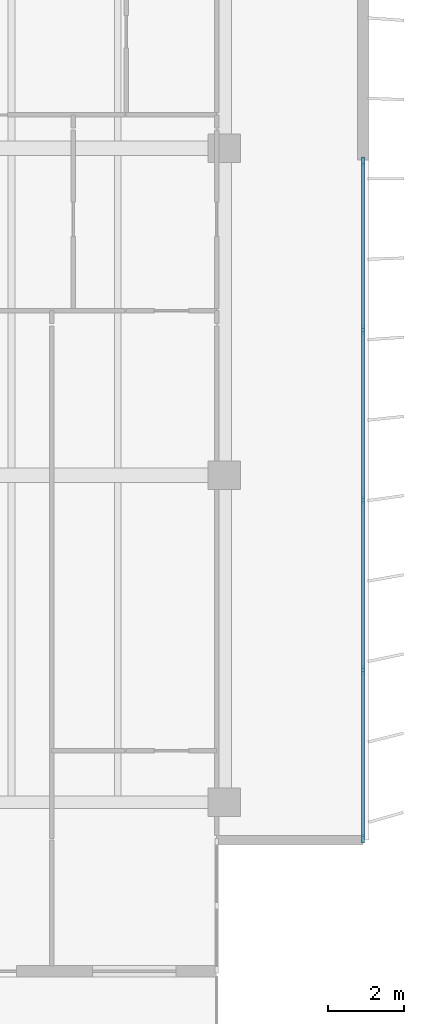
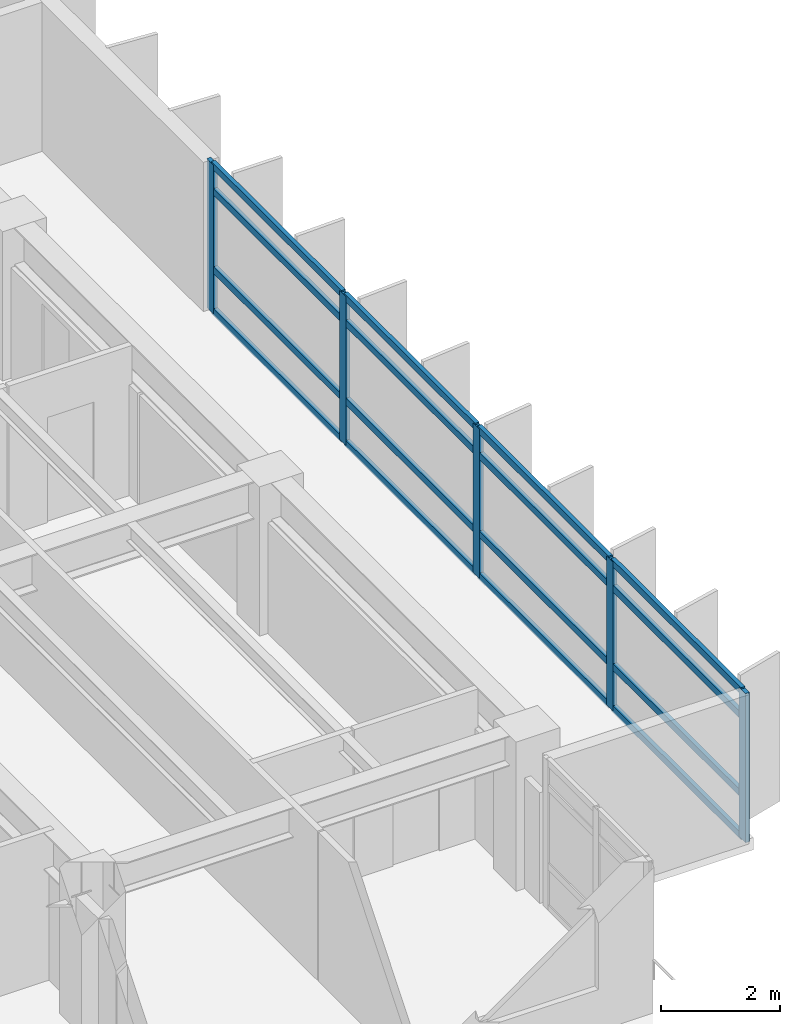
# One storey, part 6 of 18: 21 members, 1 element without a shape of its own.
"""IFC4 building model written with IfcOpenShell, lengths in metres."""

from ifc_helpers import new_model, si_unit, direction, frame, origin, origin_2d, place, context, subcontext, project, spatial, rectangle, extrude, material, layer, layer_set, material_profile, profile_set, type_object, element, aggregate, save


model = new_model("IFC4")

# Units and contexts
model_context = context("Model", 3, precision=1e-05, world=origin(), true_north=direction((0.0, 1.0)))
body_context = subcontext(model_context, "Body", "Model", "MODEL_VIEW")
ifc_project = project(units=[si_unit("LENGTHUNIT", "METRE"), si_unit("AREAUNIT", "SQUARE_METRE"), si_unit("VOLUMEUNIT", "CUBIC_METRE"), si_unit("PLANEANGLEUNIT", "RADIAN"), si_unit("MASSUNIT", "GRAM", prefix="KILO")], contexts=[model_context])

# Site, building, storey
site_placement = place(None, origin())
site = spatial("IfcSite", under=ifc_project, at=site_placement, CompositionType="ELEMENT")
building_placement = place(site_placement, origin())
building = spatial("IfcBuilding", under=site, at=building_placement, Name="Caelmar Bay Residences", CompositionType="ELEMENT")
storey_placement = place(building_placement, frame((0.0, 0.0, 173.699951171875)))
storey = spatial("IfcBuildingStorey", under=building, at=storey_placement, Name="L48", CompositionType="ELEMENT", Elevation=173.699951171875)

# Curtain wall, members
ifc_material_1 = material(Name="Anodised bronze aluminium 6063-T6 and laminated glass", Category="aluminium")
ifc_layer = layer(ifc_material_1, 0.179931640625)
ifc_layer_set = layer_set([ifc_layer], Name="Anodised bronze aluminium 6063-T6 and laminated glass")
curtain_wall_type = type_object("IfcCurtainWallType", Name="CW4-Z3", PredefinedType="NOTDEFINED", material=ifc_layer_set)
curtain_wall_placement = place(storey_placement, origin())
curtain_wall = element("IfcCurtainWall", 1, at=curtain_wall_placement, inside=storey, type_object=curtain_wall_type, Name="CW4 curtain wall L48", PredefinedType="NOTDEFINED")
ifc_material_2 = material(Name="Anodised bronze aluminium 6063-T6", Category="aluminium")
ifc_material_profile_1 = material_profile(ifc_material_2, rectangle(XDim=0.080078125, YDim=0.219970703125, at=origin_2d()), Name="CWM-80X220")
ifc_profile_set_1 = profile_set([ifc_material_profile_1], Name="Anodised bronze aluminium 6063-T6")
member_type_1 = type_object("IfcMemberType", Name="CWM-220", PredefinedType="MULLION", material=ifc_profile_set_1)
member_1_placement = place(storey_placement, frame((71.550048828125, 29.06005859375, 0.0), z_axis=(0.0, 0.0, 1.0), x_axis=(1.0, 0.0, 0.0)))
member_1 = element("IfcMember", 2, at=member_1_placement, type_object=member_type_1, Name="CW4 mullion 1", PredefinedType="MULLION", context=body_context, shape_type="SweptSolid", body=[
    extrude(rectangle(XDim=0.080078125, YDim=0.219970703125, at=origin_2d()), origin(), (0.0, 0.0, 1.0), 3.050048828125),
])
member_2_placement = place(storey_placement, frame((71.550048828125, 24.625, 0.0), z_axis=(0.0, 0.0, 1.0), x_axis=(1.0, 0.0, 0.0)))
member_2 = element("IfcMember", 3, at=member_2_placement, type_object=member_type_1, Name="CW4 mullion 2", PredefinedType="MULLION", context=body_context, shape_type="SweptSolid", body=[
    extrude(rectangle(XDim=0.080078125, YDim=0.219970703125, at=origin_2d()), origin(), (0.0, 0.0, 1.0), 3.050048828125),
])
member_3_placement = place(storey_placement, frame((71.550048828125, 20.14990234375, 0.0), z_axis=(0.0, 0.0, 1.0), x_axis=(1.0, 0.0, 0.0)))
member_3 = element("IfcMember", 4, at=member_3_placement, type_object=member_type_1, Name="CW4 mullion 3", PredefinedType="MULLION", context=body_context, shape_type="SweptSolid", body=[
    extrude(rectangle(XDim=0.080078125, YDim=0.219970703125, at=origin_2d()), origin(), (0.0, 0.0, 1.0), 3.050048828125),
])
member_4_placement = place(storey_placement, frame((71.550048828125, 15.675048828125, 0.0), z_axis=(0.0, 0.0, 1.0), x_axis=(1.0, 0.0, 0.0)))
member_4 = element("IfcMember", 5, at=member_4_placement, type_object=member_type_1, Name="CW4 mullion 4", PredefinedType="MULLION", context=body_context, shape_type="SweptSolid", body=[
    extrude(rectangle(XDim=0.080078125, YDim=0.219970703125, at=origin_2d()), origin(), (0.0, 0.0, 1.0), 3.050048828125),
])
member_5_placement = place(storey_placement, frame((71.550048828125, 11.239990234375, 0.0), z_axis=(0.0, 0.0, 1.0), x_axis=(1.0, 0.0, 0.0)))
member_5 = element("IfcMember", 6, at=member_5_placement, type_object=member_type_1, Name="CW4 mullion 5", PredefinedType="MULLION", context=body_context, shape_type="SweptSolid", body=[
    extrude(rectangle(XDim=0.080078125, YDim=0.219970703125, at=origin_2d()), origin(), (0.0, 0.0, 1.0), 3.050048828125),
])
ifc_material_profile_2 = material_profile(ifc_material_2, rectangle(XDim=0.080078125, YDim=0.139892578125, at=origin_2d()), Name="CWT-80X140")
ifc_profile_set_2 = profile_set([ifc_material_profile_2], Name="Anodised bronze aluminium 6063-T6")
member_type_2 = type_object("IfcMemberType", Name="CWT-140", PredefinedType="NOTDEFINED", material=ifc_profile_set_2)
member_6_placement = place(storey_placement, frame((71.550048828125, 29.02001953125, 0.0400390625), z_axis=(0.0, -1.0, 0.0), x_axis=(1.0, 0.0, 0.0)))
member_6 = element("IfcMember", 7, at=member_6_placement, type_object=member_type_2, Name="CW4 transom 1.1", ObjectType="TRANSOM", PredefinedType="USERDEFINED", context=body_context, shape_type="SweptSolid", body=[
    extrude(rectangle(XDim=0.080078125, YDim=0.139892578125, at=origin_2d()), origin(), (0.0, 0.0, 1.0), 4.35498046875),
])
member_7_placement = place(storey_placement, frame((71.550048828125, 29.02001953125, 0.900146484375), z_axis=(0.0, -1.0, 0.0), x_axis=(1.0, 0.0, 0.0)))
member_7 = element("IfcMember", 8, at=member_7_placement, type_object=member_type_2, Name="CW4 transom 1.2", ObjectType="TRANSOM", PredefinedType="USERDEFINED", context=body_context, shape_type="SweptSolid", body=[
    extrude(rectangle(XDim=0.080078125, YDim=0.139892578125, at=origin_2d()), origin(), (0.0, 0.0, 1.0), 4.35498046875),
])
member_8_placement = place(storey_placement, frame((71.550048828125, 29.02001953125, 2.5), z_axis=(0.0, -1.0, 0.0), x_axis=(1.0, 0.0, 0.0)))
member_8 = element("IfcMember", 9, at=member_8_placement, type_object=member_type_2, Name="CW4 transom 1.3", ObjectType="TRANSOM", PredefinedType="USERDEFINED", context=body_context, shape_type="SweptSolid", body=[
    extrude(rectangle(XDim=0.080078125, YDim=0.139892578125, at=origin_2d()), origin(), (0.0, 0.0, 1.0), 4.35498046875),
])
member_9_placement = place(storey_placement, frame((71.550048828125, 29.02001953125, 3.010009765625), z_axis=(0.0, -1.0, 0.0), x_axis=(1.0, 0.0, 0.0)))
member_9 = element("IfcMember", 10, at=member_9_placement, type_object=member_type_2, Name="CW4 transom 1.4", ObjectType="TRANSOM", PredefinedType="USERDEFINED", context=body_context, shape_type="SweptSolid", body=[
    extrude(rectangle(XDim=0.080078125, YDim=0.139892578125, at=origin_2d()), origin(), (0.0, 0.0, 1.0), 4.35498046875),
])
member_10_placement = place(storey_placement, frame((71.550048828125, 24.5849609375, 0.0400390625), z_axis=(0.0, -1.0, 0.0), x_axis=(1.0, 0.0, 0.0)))
member_10 = element("IfcMember", 11, at=member_10_placement, type_object=member_type_2, Name="CW4 transom 2.1", ObjectType="TRANSOM", PredefinedType="USERDEFINED", context=body_context, shape_type="SweptSolid", body=[
    extrude(rectangle(XDim=0.080078125, YDim=0.139892578125, at=origin_2d()), origin(), (0.0, 0.0, 1.0), 4.39501953125),
])
member_11_placement = place(storey_placement, frame((71.550048828125, 24.5849609375, 0.900146484375), z_axis=(0.0, -1.0, 0.0), x_axis=(1.0, 0.0, 0.0)))
member_11 = element("IfcMember", 12, at=member_11_placement, type_object=member_type_2, Name="CW4 transom 2.2", ObjectType="TRANSOM", PredefinedType="USERDEFINED", context=body_context, shape_type="SweptSolid", body=[
    extrude(rectangle(XDim=0.080078125, YDim=0.139892578125, at=origin_2d()), origin(), (0.0, 0.0, 1.0), 4.39501953125),
])
member_12_placement = place(storey_placement, frame((71.550048828125, 24.5849609375, 2.5), z_axis=(0.0, -1.0, 0.0), x_axis=(1.0, 0.0, 0.0)))
member_12 = element("IfcMember", 13, at=member_12_placement, type_object=member_type_2, Name="CW4 transom 2.3", ObjectType="TRANSOM", PredefinedType="USERDEFINED", context=body_context, shape_type="SweptSolid", body=[
    extrude(rectangle(XDim=0.080078125, YDim=0.139892578125, at=origin_2d()), origin(), (0.0, 0.0, 1.0), 4.39501953125),
])
member_13_placement = place(storey_placement, frame((71.550048828125, 24.5849609375, 3.010009765625), z_axis=(0.0, -1.0, 0.0), x_axis=(1.0, 0.0, 0.0)))
member_13 = element("IfcMember", 14, at=member_13_placement, type_object=member_type_2, Name="CW4 transom 2.4", ObjectType="TRANSOM", PredefinedType="USERDEFINED", context=body_context, shape_type="SweptSolid", body=[
    extrude(rectangle(XDim=0.080078125, YDim=0.139892578125, at=origin_2d()), origin(), (0.0, 0.0, 1.0), 4.39501953125),
])
member_14_placement = place(storey_placement, frame((71.550048828125, 20.110107421875, 0.0400390625), z_axis=(0.0, -1.0, 0.0), x_axis=(1.0, 0.0, 0.0)))
member_14 = element("IfcMember", 15, at=member_14_placement, type_object=member_type_2, Name="CW4 transom 3.1", ObjectType="TRANSOM", PredefinedType="USERDEFINED", context=body_context, shape_type="SweptSolid", body=[
    extrude(rectangle(XDim=0.080078125, YDim=0.139892578125, at=origin_2d()), origin(), (0.0, 0.0, 1.0), 4.39501953125),
])
member_15_placement = place(storey_placement, frame((71.550048828125, 20.110107421875, 0.900146484375), z_axis=(0.0, -1.0, 0.0), x_axis=(1.0, 0.0, 0.0)))
member_15 = element("IfcMember", 16, at=member_15_placement, type_object=member_type_2, Name="CW4 transom 3.2", ObjectType="TRANSOM", PredefinedType="USERDEFINED", context=body_context, shape_type="SweptSolid", body=[
    extrude(rectangle(XDim=0.080078125, YDim=0.139892578125, at=origin_2d()), origin(), (0.0, 0.0, 1.0), 4.39501953125),
])
member_16_placement = place(storey_placement, frame((71.550048828125, 20.110107421875, 2.5), z_axis=(0.0, -1.0, 0.0), x_axis=(1.0, 0.0, 0.0)))
member_16 = element("IfcMember", 17, at=member_16_placement, type_object=member_type_2, Name="CW4 transom 3.3", ObjectType="TRANSOM", PredefinedType="USERDEFINED", context=body_context, shape_type="SweptSolid", body=[
    extrude(rectangle(XDim=0.080078125, YDim=0.139892578125, at=origin_2d()), origin(), (0.0, 0.0, 1.0), 4.39501953125),
])
member_17_placement = place(storey_placement, frame((71.550048828125, 20.110107421875, 3.010009765625), z_axis=(0.0, -1.0, 0.0), x_axis=(1.0, 0.0, 0.0)))
member_17 = element("IfcMember", 18, at=member_17_placement, type_object=member_type_2, Name="CW4 transom 3.4", ObjectType="TRANSOM", PredefinedType="USERDEFINED", context=body_context, shape_type="SweptSolid", body=[
    extrude(rectangle(XDim=0.080078125, YDim=0.139892578125, at=origin_2d()), origin(), (0.0, 0.0, 1.0), 4.39501953125),
])
member_18_placement = place(storey_placement, frame((71.550048828125, 15.635009765625, 0.0400390625), z_axis=(0.0, -1.0, 0.0), x_axis=(1.0, 0.0, 0.0)))
member_18 = element("IfcMember", 19, at=member_18_placement, type_object=member_type_2, Name="CW4 transom 4.1", ObjectType="TRANSOM", PredefinedType="USERDEFINED", context=body_context, shape_type="SweptSolid", body=[
    extrude(rectangle(XDim=0.080078125, YDim=0.139892578125, at=origin_2d()), origin(), (0.0, 0.0, 1.0), 4.35498046875),
])
member_19_placement = place(storey_placement, frame((71.550048828125, 15.635009765625, 0.900146484375), z_axis=(0.0, -1.0, 0.0), x_axis=(1.0, 0.0, 0.0)))
member_19 = element("IfcMember", 20, at=member_19_placement, type_object=member_type_2, Name="CW4 transom 4.2", ObjectType="TRANSOM", PredefinedType="USERDEFINED", context=body_context, shape_type="SweptSolid", body=[
    extrude(rectangle(XDim=0.080078125, YDim=0.139892578125, at=origin_2d()), origin(), (0.0, 0.0, 1.0), 4.35498046875),
])
member_20_placement = place(storey_placement, frame((71.550048828125, 15.635009765625, 2.5), z_axis=(0.0, -1.0, 0.0), x_axis=(1.0, 0.0, 0.0)))
member_20 = element("IfcMember", 21, at=member_20_placement, type_object=member_type_2, Name="CW4 transom 4.3", ObjectType="TRANSOM", PredefinedType="USERDEFINED", context=body_context, shape_type="SweptSolid", body=[
    extrude(rectangle(XDim=0.080078125, YDim=0.139892578125, at=origin_2d()), origin(), (0.0, 0.0, 1.0), 4.35498046875),
])
member_21_placement = place(storey_placement, frame((71.550048828125, 15.635009765625, 3.010009765625), z_axis=(0.0, -1.0, 0.0), x_axis=(1.0, 0.0, 0.0)))
member_21 = element("IfcMember", 22, at=member_21_placement, type_object=member_type_2, Name="CW4 transom 4.4", ObjectType="TRANSOM", PredefinedType="USERDEFINED", context=body_context, shape_type="SweptSolid", body=[
    extrude(rectangle(XDim=0.080078125, YDim=0.139892578125, at=origin_2d()), origin(), (0.0, 0.0, 1.0), 4.35498046875),
])
aggregate(curtain_wall, [member_1, member_2, member_3, member_4, member_5, member_6, member_7, member_8, member_9, member_10, member_11, member_12, member_13, member_14, member_15, member_16, member_17, member_18, member_19, member_20, member_21])

save(model, "model.ifc")
